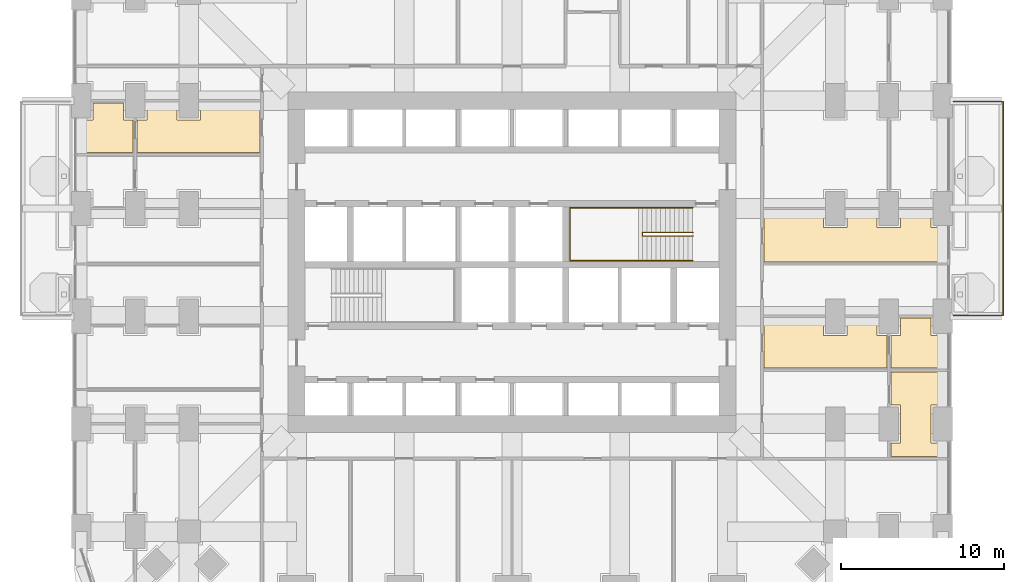
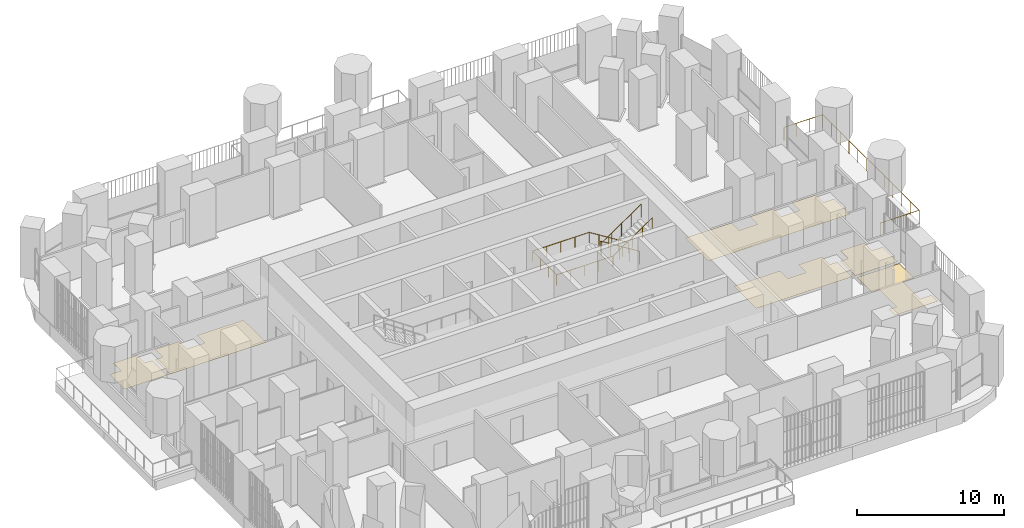
# One storey, part 24 of 26: 6 coverings, 3 railings.
"""IFC4 building model written with IfcOpenShell, lengths in metres."""

from ifc_helpers import new_model, si_unit, direction, frame, origin, place, context, subcontext, project, spatial, polyline, outline, extrude, material, layer, layer_set, type_object, element, save


model = new_model("IFC4")

# Units and contexts
model_context = context("Model", 3, precision=1e-05, world=origin(), true_north=direction((0.0, 1.0)))
body_context = subcontext(model_context, "Body", "Model", "MODEL_VIEW")
ifc_project = project(units=[si_unit("LENGTHUNIT", "METRE"), si_unit("AREAUNIT", "SQUARE_METRE"), si_unit("VOLUMEUNIT", "CUBIC_METRE"), si_unit("PLANEANGLEUNIT", "RADIAN"), si_unit("MASSUNIT", "GRAM", prefix="KILO")], contexts=[model_context])

# Site, building, storey
site_placement = place(None, origin())
site = spatial("IfcSite", under=ifc_project, at=site_placement, CompositionType="ELEMENT")
building_placement = place(site_placement, origin())
building = spatial("IfcBuilding", under=site, at=building_placement, Name="Cobogo Forest Laboratory Tower", CompositionType="ELEMENT")
storey_placement = place(building_placement, frame((0.0, 0.0, 33.89990234375)))
storey = spatial("IfcBuildingStorey", under=building, at=storey_placement, Name="L07", CompositionType="ELEMENT", Elevation=33.89990234375)

# Railing
ifc_material_1 = material(Name="Laminated glass balustrade", Category="glass")
railing_type_1 = type_object("IfcRailingType", Name="BG1 glass balustrade 1100", PredefinedType="GUARDRAIL", material=ifc_material_1)
railing_1_placement = place(storey_placement, frame((53.449951171875, 19.85009765625, 0.0)))
element("IfcRailing", 1, at=railing_1_placement, inside=storey, type_object=railing_type_1, Name="Balcony balustrade BAL-E1 L07", PredefinedType="GUARDRAIL", context=body_context, shape_type="SweptSolid", body=[
    extrude(outline(polyline([(0.022216796875, 0.00927734375), (0.00927734375, 0.022216796875), (-0.00927734375, 0.022216796875), (-0.022216796875, 0.00927734375), (-0.022216796875, -0.00927734375), (-0.00927734375, -0.022216796875), (0.00927734375, -0.022216796875), (0.022216796875, -0.00927734375), (0.022216796875, 0.00927734375)])), frame((0.0, 0.0, 1.077880859375), z_axis=(1.0, 0.0, 0.0), x_axis=(0.0, 1.0, 0.0)), (0.0, 0.0, 1.0), 3.050048828125),
    extrude(outline(polyline([(0.022216796875, 0.00927734375), (0.00927734375, 0.022216796875), (-0.00927734375, 0.022216796875), (-0.022216796875, 0.00927734375), (-0.022216796875, -0.00927734375), (-0.00927734375, -0.022216796875), (0.00927734375, -0.022216796875), (0.022216796875, -0.00927734375), (0.022216796875, 0.00927734375)])), frame((3.050048828125, 0.0, 1.077880859375), z_axis=(0.0, 1.0, 0.0), x_axis=(-1.0, 0.0, 0.0)), (0.0, 0.0, 1.0), 13.099853515625),
    extrude(outline(polyline([(0.022216796875, 0.00927734375), (0.00927734375, 0.022216796875), (-0.00927734375, 0.022216796875), (-0.022216796875, 0.00927734375), (-0.022216796875, -0.00927734375), (-0.00927734375, -0.022216796875), (0.00927734375, -0.022216796875), (0.022216796875, -0.00927734375), (0.022216796875, 0.00927734375)])), frame((3.050048828125, 13.099853515625, 1.077880859375), z_axis=(-1.0, 0.0, 0.0), x_axis=(0.0, -1.0, 0.0)), (0.0, 0.0, 1.0), 3.050048828125),
    extrude(outline(polyline([(0.019287109375, 0.008056640625), (0.008056640625, 0.019287109375), (-0.008056640625, 0.019287109375), (-0.019287109375, 0.008056640625), (-0.019287109375, -0.008056640625), (-0.008056640625, -0.019287109375), (0.008056640625, -0.019287109375), (0.019287109375, -0.008056640625), (0.019287109375, 0.008056640625)])), origin(), (0.0, 0.0, 1.0), 1.077880859375),
    extrude(outline(polyline([(0.019287109375, 0.008056640625), (0.008056640625, 0.019287109375), (-0.008056640625, 0.019287109375), (-0.019287109375, 0.008056640625), (-0.019287109375, -0.008056640625), (-0.008056640625, -0.019287109375), (0.008056640625, -0.019287109375), (0.019287109375, -0.008056640625), (0.019287109375, 0.008056640625)])), frame((1.0166015625, 0.0, 0.0)), (0.0, 0.0, 1.0), 1.077880859375),
    extrude(outline(polyline([(0.019287109375, 0.008056640625), (0.008056640625, 0.019287109375), (-0.008056640625, 0.019287109375), (-0.019287109375, 0.008056640625), (-0.019287109375, -0.008056640625), (-0.008056640625, -0.019287109375), (0.008056640625, -0.019287109375), (0.019287109375, -0.008056640625), (0.019287109375, 0.008056640625)])), frame((2.033447265625, 0.0, 0.0)), (0.0, 0.0, 1.0), 1.077880859375),
    extrude(outline(polyline([(0.019287109375, 0.008056640625), (0.008056640625, 0.019287109375), (-0.008056640625, 0.019287109375), (-0.019287109375, 0.008056640625), (-0.019287109375, -0.008056640625), (-0.008056640625, -0.019287109375), (0.008056640625, -0.019287109375), (0.019287109375, -0.008056640625), (0.019287109375, 0.008056640625)])), frame((3.050048828125, 0.0, 0.0)), (0.0, 0.0, 1.0), 1.077880859375),
    extrude(outline(polyline([(0.019287109375, 0.008056640625), (0.008056640625, 0.019287109375), (-0.008056640625, 0.019287109375), (-0.019287109375, 0.008056640625), (-0.019287109375, -0.008056640625), (-0.008056640625, -0.019287109375), (0.008056640625, -0.019287109375), (0.019287109375, -0.008056640625), (0.019287109375, 0.008056640625)])), frame((3.050048828125, 1.19091796875, 0.0)), (0.0, 0.0, 1.0), 1.077880859375),
    extrude(outline(polyline([(0.019287109375, 0.008056640625), (0.008056640625, 0.019287109375), (-0.008056640625, 0.019287109375), (-0.019287109375, 0.008056640625), (-0.019287109375, -0.008056640625), (-0.008056640625, -0.019287109375), (0.008056640625, -0.019287109375), (0.019287109375, -0.008056640625), (0.019287109375, 0.008056640625)])), frame((3.050048828125, 2.3818359375, 0.0)), (0.0, 0.0, 1.0), 1.077880859375),
    extrude(outline(polyline([(0.019287109375, 0.008056640625), (0.008056640625, 0.019287109375), (-0.008056640625, 0.019287109375), (-0.019287109375, 0.008056640625), (-0.019287109375, -0.008056640625), (-0.008056640625, -0.019287109375), (0.008056640625, -0.019287109375), (0.019287109375, -0.008056640625), (0.019287109375, 0.008056640625)])), frame((3.050048828125, 3.57275390625, 0.0)), (0.0, 0.0, 1.0), 1.077880859375),
    extrude(outline(polyline([(0.019287109375, 0.008056640625), (0.008056640625, 0.019287109375), (-0.008056640625, 0.019287109375), (-0.019287109375, 0.008056640625), (-0.019287109375, -0.008056640625), (-0.008056640625, -0.019287109375), (0.008056640625, -0.019287109375), (0.019287109375, -0.008056640625), (0.019287109375, 0.008056640625)])), frame((3.050048828125, 4.763671875, 0.0)), (0.0, 0.0, 1.0), 1.077880859375),
    extrude(outline(polyline([(0.019287109375, 0.008056640625), (0.008056640625, 0.019287109375), (-0.008056640625, 0.019287109375), (-0.019287109375, 0.008056640625), (-0.019287109375, -0.008056640625), (-0.008056640625, -0.019287109375), (0.008056640625, -0.019287109375), (0.019287109375, -0.008056640625), (0.019287109375, 0.008056640625)])), frame((3.050048828125, 5.95458984375, 0.0)), (0.0, 0.0, 1.0), 1.077880859375),
    extrude(outline(polyline([(0.019287109375, 0.008056640625), (0.008056640625, 0.019287109375), (-0.008056640625, 0.019287109375), (-0.019287109375, 0.008056640625), (-0.019287109375, -0.008056640625), (-0.008056640625, -0.019287109375), (0.008056640625, -0.019287109375), (0.019287109375, -0.008056640625), (0.019287109375, 0.008056640625)])), frame((3.050048828125, 7.145263671875, 0.0)), (0.0, 0.0, 1.0), 1.077880859375),
    extrude(outline(polyline([(0.019287109375, 0.008056640625), (0.008056640625, 0.019287109375), (-0.008056640625, 0.019287109375), (-0.019287109375, 0.008056640625), (-0.019287109375, -0.008056640625), (-0.008056640625, -0.019287109375), (0.008056640625, -0.019287109375), (0.019287109375, -0.008056640625), (0.019287109375, 0.008056640625)])), frame((3.050048828125, 8.336181640625, 0.0)), (0.0, 0.0, 1.0), 1.077880859375),
    extrude(outline(polyline([(0.019287109375, 0.008056640625), (0.008056640625, 0.019287109375), (-0.008056640625, 0.019287109375), (-0.019287109375, 0.008056640625), (-0.019287109375, -0.008056640625), (-0.008056640625, -0.019287109375), (0.008056640625, -0.019287109375), (0.019287109375, -0.008056640625), (0.019287109375, 0.008056640625)])), frame((3.050048828125, 9.527099609375, 0.0)), (0.0, 0.0, 1.0), 1.077880859375),
    extrude(outline(polyline([(0.019287109375, 0.008056640625), (0.008056640625, 0.019287109375), (-0.008056640625, 0.019287109375), (-0.019287109375, 0.008056640625), (-0.019287109375, -0.008056640625), (-0.008056640625, -0.019287109375), (0.008056640625, -0.019287109375), (0.019287109375, -0.008056640625), (0.019287109375, 0.008056640625)])), frame((3.050048828125, 10.718017578125, 0.0)), (0.0, 0.0, 1.0), 1.077880859375),
    extrude(outline(polyline([(0.019287109375, 0.008056640625), (0.008056640625, 0.019287109375), (-0.008056640625, 0.019287109375), (-0.019287109375, 0.008056640625), (-0.019287109375, -0.008056640625), (-0.008056640625, -0.019287109375), (0.008056640625, -0.019287109375), (0.019287109375, -0.008056640625), (0.019287109375, 0.008056640625)])), frame((3.050048828125, 11.908935546875, 0.0)), (0.0, 0.0, 1.0), 1.077880859375),
    extrude(outline(polyline([(0.019287109375, 0.008056640625), (0.008056640625, 0.019287109375), (-0.008056640625, 0.019287109375), (-0.019287109375, 0.008056640625), (-0.019287109375, -0.008056640625), (-0.008056640625, -0.019287109375), (0.008056640625, -0.019287109375), (0.019287109375, -0.008056640625), (0.019287109375, 0.008056640625)])), frame((3.050048828125, 13.099853515625, 0.0)), (0.0, 0.0, 1.0), 1.077880859375),
    extrude(outline(polyline([(0.019287109375, 0.008056640625), (0.008056640625, 0.019287109375), (-0.008056640625, 0.019287109375), (-0.019287109375, 0.008056640625), (-0.019287109375, -0.008056640625), (-0.008056640625, -0.019287109375), (0.008056640625, -0.019287109375), (0.019287109375, -0.008056640625), (0.019287109375, 0.008056640625)])), frame((2.033447265625, 13.099853515625, 0.0)), (0.0, 0.0, 1.0), 1.077880859375),
    extrude(outline(polyline([(0.019287109375, 0.008056640625), (0.008056640625, 0.019287109375), (-0.008056640625, 0.019287109375), (-0.019287109375, 0.008056640625), (-0.019287109375, -0.008056640625), (-0.008056640625, -0.019287109375), (0.008056640625, -0.019287109375), (0.019287109375, -0.008056640625), (0.019287109375, 0.008056640625)])), frame((1.0166015625, 13.099853515625, 0.0)), (0.0, 0.0, 1.0), 1.077880859375),
    extrude(outline(polyline([(0.019287109375, 0.008056640625), (0.008056640625, 0.019287109375), (-0.008056640625, 0.019287109375), (-0.019287109375, 0.008056640625), (-0.019287109375, -0.008056640625), (-0.008056640625, -0.019287109375), (0.008056640625, -0.019287109375), (0.019287109375, -0.008056640625), (0.019287109375, 0.008056640625)])), frame((0.0, 13.099853515625, 0.0)), (0.0, 0.0, 1.0), 1.077880859375),
])

# Coverings
ifc_material_2 = material(Name="Carpet tile on raised access floor", Category="flooring")
ifc_layer_1 = layer(ifc_material_2, 0.008056640625)
ifc_layer_set_1 = layer_set([ifc_layer_1], Name="CT1 carpet tile floor 8")
covering_type_1 = type_object("IfcCoveringType", Name="CT1 carpet tile floor 8", PredefinedType="FLOORING", material=ifc_layer_set_1)
covering_1_placement = place(storey_placement, origin())
element("IfcCovering", 2, at=covering_1_placement, inside=storey, type_object=covering_type_1, Name="Carpet floor L07-12", PredefinedType="FLOORING", context=body_context, shape_type="SweptSolid", body=[
    extrude(outline(polyline([(49.6201171875, 12.030029296875), (50.219970703125, 12.030029296875), (50.219970703125, 14.3701171875), (49.6201171875, 14.3701171875), (49.6201171875, 16.3798828125), (52.949951171875, 16.3798828125), (52.949951171875, 14.3701171875), (52.080078125, 14.3701171875), (52.080078125, 12.030029296875), (52.949951171875, 12.030029296875), (52.949951171875, 11.195068359375), (49.6201171875, 11.195068359375), (49.6201171875, 12.030029296875)])), origin(), (0.0, 0.0, 1.0), 0.008056640625),
])
covering_2_placement = place(storey_placement, origin())
element("IfcCovering", 3, at=covering_2_placement, inside=storey, type_object=covering_type_1, Name="Carpet floor L07-14", PredefinedType="FLOORING", context=body_context, shape_type="SweptSolid", body=[
    extrude(outline(polyline([(49.6201171875, 18.6298828125), (50.219970703125, 18.6298828125), (50.219970703125, 19.679931640625), (52.080078125, 19.679931640625), (52.080078125, 18.6298828125), (52.949951171875, 18.6298828125), (52.949951171875, 16.6201171875), (49.6201171875, 16.6201171875), (49.6201171875, 18.6298828125)])), origin(), (0.0, 0.0, 1.0), 0.008056640625),
])
covering_3_placement = place(storey_placement, origin())
element("IfcCovering", 4, at=covering_3_placement, inside=storey, type_object=covering_type_1, Name="Carpet floor L07-37", PredefinedType="FLOORING", context=body_context, shape_type="SweptSolid", body=[
    extrude(outline(polyline([(3.179931640625, 29.820068359375), (-0.14990234375, 29.820068359375), (-0.14990234375, 31.830078125), (0.719970703125, 31.830078125), (0.719970703125, 32.8798828125), (2.580078125, 32.8798828125), (2.580078125, 31.830078125), (3.179931640625, 31.830078125), (3.179931640625, 29.820068359375)])), origin(), (0.0, 0.0, 1.0), 0.008056640625),
])

# Railings
ifc_material_3 = material(Name="Steel balustrade", Category="steel")
railing_type_2 = type_object("IfcRailingType", Name="GR stair guard 1100", PredefinedType="GUARDRAIL", material=ifc_material_3)
railing_2_placement = place(storey_placement, frame((37.47509765625, 24.929931640625, 0.175048828125)))
element("IfcRailing", 5, at=railing_2_placement, inside=storey, type_object=railing_type_2, Name="Stair guard ST2 L07", PredefinedType="GUARDRAIL", context=body_context, shape_type="SweptSolid", body=[
    extrude(outline(polyline([(0.022216796875, 0.00927734375), (0.00927734375, 0.022216796875), (-0.00927734375, 0.022216796875), (-0.022216796875, 0.00927734375), (-0.022216796875, -0.00927734375), (-0.00927734375, -0.022216796875), (0.00927734375, -0.022216796875), (0.022216796875, -0.00927734375), (0.022216796875, 0.00927734375)])), frame((0.0, 0.0, 1.077880859375), z_axis=(-0.847998304005, 0.0, 0.529998940003), x_axis=(0.0, -1.0, 0.0)), (0.0, 0.0, 1.0), 3.632080078125),
    extrude(outline(polyline([(0.022216796875, 0.00927734375), (0.00927734375, 0.022216796875), (-0.00927734375, 0.022216796875), (-0.022216796875, 0.00927734375), (-0.022216796875, -0.00927734375), (-0.00927734375, -0.022216796875), (0.00927734375, -0.022216796875), (0.022216796875, -0.00927734375), (0.022216796875, 0.00927734375)])), frame((-3.080078125, 0.0, 3.0029296875), z_axis=(0.0, -1.0, 0.0), x_axis=(1.0, 0.0, 0.0)), (0.0, 0.0, 1.0), 0.2099609375),
    extrude(outline(polyline([(0.022216796875, 0.00927734375), (0.00927734375, 0.022216796875), (-0.00927734375, 0.022216796875), (-0.022216796875, 0.00927734375), (-0.022216796875, -0.00927734375), (-0.00927734375, -0.022216796875), (0.00927734375, -0.022216796875), (0.022216796875, -0.00927734375), (0.022216796875, 0.00927734375)])), frame((-3.080078125, -0.2099609375, 3.0029296875), z_axis=(0.826221800596, 0.0, 0.563344953133), x_axis=(0.0, 1.0, 0.0)), (0.0, 0.0, 1.0), 3.72802734375),
    extrude(outline(polyline([(0.019287109375, 0.008056640625), (0.008056640625, 0.019287109375), (-0.008056640625, 0.019287109375), (-0.019287109375, 0.008056640625), (-0.019287109375, -0.008056640625), (-0.008056640625, -0.019287109375), (0.008056640625, -0.019287109375), (0.019287109375, -0.008056640625), (0.019287109375, 0.008056640625)])), origin(), (0.0, 0.0, 1.0), 1.077880859375),
    extrude(outline(polyline([(0.019287109375, 0.008056640625), (0.008056640625, 0.019287109375), (-0.008056640625, 0.019287109375), (-0.019287109375, 0.008056640625), (-0.019287109375, -0.008056640625), (-0.008056640625, -0.019287109375), (0.008056640625, -0.019287109375), (0.019287109375, -0.008056640625), (0.019287109375, 0.008056640625)])), frame((-0.77001953125, 0.0, 0.481201171875)), (0.0, 0.0, 1.0), 1.077880859375),
    extrude(outline(polyline([(0.019287109375, 0.008056640625), (0.008056640625, 0.019287109375), (-0.008056640625, 0.019287109375), (-0.019287109375, 0.008056640625), (-0.019287109375, -0.008056640625), (-0.008056640625, -0.019287109375), (0.008056640625, -0.019287109375), (0.019287109375, -0.008056640625), (0.019287109375, 0.008056640625)])), frame((-1.5400390625, 0.0, 0.96240234375)), (0.0, 0.0, 1.0), 1.077880859375),
    extrude(outline(polyline([(0.019287109375, 0.008056640625), (0.008056640625, 0.019287109375), (-0.008056640625, 0.019287109375), (-0.019287109375, 0.008056640625), (-0.019287109375, -0.008056640625), (-0.008056640625, -0.019287109375), (0.008056640625, -0.019287109375), (0.019287109375, -0.008056640625), (0.019287109375, 0.008056640625)])), frame((-2.31005859375, 0.0, 1.44384765625)), (0.0, 0.0, 1.0), 1.077880859375),
    extrude(outline(polyline([(0.019287109375, 0.008056640625), (0.008056640625, 0.019287109375), (-0.008056640625, 0.019287109375), (-0.019287109375, 0.008056640625), (-0.019287109375, -0.008056640625), (-0.008056640625, -0.019287109375), (0.008056640625, -0.019287109375), (0.019287109375, -0.008056640625), (0.019287109375, 0.008056640625)])), frame((-3.080078125, 0.0, 1.925048828125)), (0.0, 0.0, 1.0), 1.077880859375),
    extrude(outline(polyline([(0.019287109375, 0.008056640625), (0.008056640625, 0.019287109375), (-0.008056640625, 0.019287109375), (-0.019287109375, 0.008056640625), (-0.019287109375, -0.008056640625), (-0.008056640625, -0.019287109375), (0.008056640625, -0.019287109375), (0.019287109375, -0.008056640625), (0.019287109375, 0.008056640625)])), frame((-3.080078125, -0.2099609375, 1.925048828125)), (0.0, 0.0, 1.0), 1.077880859375),
    extrude(outline(polyline([(0.019287109375, 0.008056640625), (0.008056640625, 0.019287109375), (-0.008056640625, 0.019287109375), (-0.019287109375, 0.008056640625), (-0.019287109375, -0.008056640625), (-0.008056640625, -0.019287109375), (0.008056640625, -0.019287109375), (0.019287109375, -0.008056640625), (0.019287109375, 0.008056640625)])), frame((-2.31005859375, -0.2099609375, 2.4501953125)), (0.0, 0.0, 1.0), 1.077880859375),
    extrude(outline(polyline([(0.019287109375, 0.008056640625), (0.008056640625, 0.019287109375), (-0.008056640625, 0.019287109375), (-0.019287109375, 0.008056640625), (-0.019287109375, -0.008056640625), (-0.008056640625, -0.019287109375), (0.008056640625, -0.019287109375), (0.019287109375, -0.008056640625), (0.019287109375, 0.008056640625)])), frame((-1.5400390625, -0.2099609375, 2.97509765625)), (0.0, 0.0, 1.0), 1.077880859375),
    extrude(outline(polyline([(0.019287109375, 0.008056640625), (0.008056640625, 0.019287109375), (-0.008056640625, 0.019287109375), (-0.019287109375, 0.008056640625), (-0.019287109375, -0.008056640625), (-0.008056640625, -0.019287109375), (0.008056640625, -0.019287109375), (0.019287109375, -0.008056640625), (0.019287109375, 0.008056640625)])), frame((-0.77001953125, -0.2099609375, 3.5)), (0.0, 0.0, 1.0), 1.077880859375),
    extrude(outline(polyline([(0.019287109375, 0.008056640625), (0.008056640625, 0.019287109375), (-0.008056640625, 0.019287109375), (-0.019287109375, 0.008056640625), (-0.019287109375, -0.008056640625), (-0.008056640625, -0.019287109375), (0.008056640625, -0.019287109375), (0.019287109375, -0.008056640625), (0.019287109375, 0.008056640625)])), frame((0.0, -0.2099609375, 4.025146484375)), (0.0, 0.0, 1.0), 1.077880859375),
])
ifc_material_4 = material(Name="Stainless steel handrail", Category="steel")
railing_type_3 = type_object("IfcRailingType", Name="HR handrail 900", PredefinedType="HANDRAIL", material=ifc_material_4)
railing_3_placement = place(storey_placement, frame((37.47509765625, 26.449951171875, 0.175048828125)))
element("IfcRailing", 6, at=railing_3_placement, inside=storey, type_object=railing_type_3, Name="Stair handrail ST2 L07", PredefinedType="HANDRAIL", context=body_context, shape_type="SweptSolid", body=[
    extrude(outline(polyline([(0.022216796875, 0.00927734375), (0.00927734375, 0.022216796875), (-0.00927734375, 0.022216796875), (-0.022216796875, 0.00927734375), (-0.022216796875, -0.00927734375), (-0.00927734375, -0.022216796875), (0.00927734375, -0.022216796875), (0.022216796875, -0.00927734375), (0.022216796875, 0.00927734375)])), frame((0.0, 0.0, 0.877685546875), z_axis=(-0.847998304005, 0.0, 0.529998940003), x_axis=(0.0, -1.0, 0.0)), (0.0, 0.0, 1.0), 3.632080078125),
    extrude(outline(polyline([(0.022216796875, 0.00927734375), (0.00927734375, 0.022216796875), (-0.00927734375, 0.022216796875), (-0.022216796875, 0.00927734375), (-0.022216796875, -0.00927734375), (-0.00927734375, -0.022216796875), (0.00927734375, -0.022216796875), (0.022216796875, -0.00927734375), (0.022216796875, 0.00927734375)])), frame((-3.080078125, 0.0, 2.802734375), z_axis=(-1.0, 0.0, 0.0), x_axis=(0.0, -1.0, 0.0)), (0.0, 0.0, 1.0), 4.445068359375),
    extrude(outline(polyline([(0.022216796875, 0.00927734375), (0.00927734375, 0.022216796875), (-0.00927734375, 0.022216796875), (-0.022216796875, 0.00927734375), (-0.022216796875, -0.00927734375), (-0.00927734375, -0.022216796875), (0.00927734375, -0.022216796875), (0.022216796875, -0.00927734375), (0.022216796875, 0.00927734375)])), frame((-7.525146484375, 0.0, 2.802734375), z_axis=(0.0, -1.0, 0.0), x_axis=(1.0, 0.0, 0.0)), (0.0, 0.0, 1.0), 3.25),
    extrude(outline(polyline([(0.022216796875, 0.00927734375), (0.00927734375, 0.022216796875), (-0.00927734375, 0.022216796875), (-0.022216796875, 0.00927734375), (-0.022216796875, -0.00927734375), (-0.00927734375, -0.022216796875), (0.00927734375, -0.022216796875), (0.022216796875, -0.00927734375), (0.022216796875, 0.00927734375)])), frame((-7.525146484375, -3.25, 2.802734375), z_axis=(1.0, 0.0, 0.0), x_axis=(0.0, 1.0, 0.0)), (0.0, 0.0, 1.0), 4.445068359375),
    extrude(outline(polyline([(0.022216796875, 0.00927734375), (0.00927734375, 0.022216796875), (-0.00927734375, 0.022216796875), (-0.022216796875, 0.00927734375), (-0.022216796875, -0.00927734375), (-0.00927734375, -0.022216796875), (0.00927734375, -0.022216796875), (0.022216796875, -0.00927734375), (0.022216796875, 0.00927734375)])), frame((-3.080078125, -3.25, 2.802734375), z_axis=(0.826221800596, 0.0, 0.563344953133), x_axis=(0.0, 1.0, 0.0)), (0.0, 0.0, 1.0), 3.72802734375),
    extrude(outline(polyline([(0.019287109375, 0.008056640625), (0.008056640625, 0.019287109375), (-0.008056640625, 0.019287109375), (-0.019287109375, 0.008056640625), (-0.019287109375, -0.008056640625), (-0.008056640625, -0.019287109375), (0.008056640625, -0.019287109375), (0.019287109375, -0.008056640625), (0.019287109375, 0.008056640625)])), origin(), (0.0, 0.0, 1.0), 0.877685546875),
    extrude(outline(polyline([(0.019287109375, 0.008056640625), (0.008056640625, 0.019287109375), (-0.008056640625, 0.019287109375), (-0.019287109375, 0.008056640625), (-0.019287109375, -0.008056640625), (-0.008056640625, -0.019287109375), (0.008056640625, -0.019287109375), (0.019287109375, -0.008056640625), (0.019287109375, 0.008056640625)])), frame((-0.77001953125, 0.0, 0.481201171875)), (0.0, 0.0, 1.0), 0.877685546875),
    extrude(outline(polyline([(0.019287109375, 0.008056640625), (0.008056640625, 0.019287109375), (-0.008056640625, 0.019287109375), (-0.019287109375, 0.008056640625), (-0.019287109375, -0.008056640625), (-0.008056640625, -0.019287109375), (0.008056640625, -0.019287109375), (0.019287109375, -0.008056640625), (0.019287109375, 0.008056640625)])), frame((-1.5400390625, 0.0, 0.96240234375)), (0.0, 0.0, 1.0), 0.877685546875),
    extrude(outline(polyline([(0.019287109375, 0.008056640625), (0.008056640625, 0.019287109375), (-0.008056640625, 0.019287109375), (-0.019287109375, 0.008056640625), (-0.019287109375, -0.008056640625), (-0.008056640625, -0.019287109375), (0.008056640625, -0.019287109375), (0.019287109375, -0.008056640625), (0.019287109375, 0.008056640625)])), frame((-2.31005859375, 0.0, 1.44384765625)), (0.0, 0.0, 1.0), 0.877685546875),
    extrude(outline(polyline([(0.019287109375, 0.008056640625), (0.008056640625, 0.019287109375), (-0.008056640625, 0.019287109375), (-0.019287109375, 0.008056640625), (-0.019287109375, -0.008056640625), (-0.008056640625, -0.019287109375), (0.008056640625, -0.019287109375), (0.019287109375, -0.008056640625), (0.019287109375, 0.008056640625)])), frame((-3.080078125, 0.0, 1.925048828125)), (0.0, 0.0, 1.0), 0.877685546875),
    extrude(outline(polyline([(0.019287109375, 0.008056640625), (0.008056640625, 0.019287109375), (-0.008056640625, 0.019287109375), (-0.019287109375, 0.008056640625), (-0.019287109375, -0.008056640625), (-0.008056640625, -0.019287109375), (0.008056640625, -0.019287109375), (0.019287109375, -0.008056640625), (0.019287109375, 0.008056640625)])), frame((-4.19140625, 0.0, 1.925048828125)), (0.0, 0.0, 1.0), 0.877685546875),
    extrude(outline(polyline([(0.019287109375, 0.008056640625), (0.008056640625, 0.019287109375), (-0.008056640625, 0.019287109375), (-0.019287109375, 0.008056640625), (-0.019287109375, -0.008056640625), (-0.008056640625, -0.019287109375), (0.008056640625, -0.019287109375), (0.019287109375, -0.008056640625), (0.019287109375, 0.008056640625)])), frame((-5.302734375, 0.0, 1.925048828125)), (0.0, 0.0, 1.0), 0.877685546875),
    extrude(outline(polyline([(0.019287109375, 0.008056640625), (0.008056640625, 0.019287109375), (-0.008056640625, 0.019287109375), (-0.019287109375, 0.008056640625), (-0.019287109375, -0.008056640625), (-0.008056640625, -0.019287109375), (0.008056640625, -0.019287109375), (0.019287109375, -0.008056640625), (0.019287109375, 0.008056640625)])), frame((-6.413818359375, 0.0, 1.925048828125)), (0.0, 0.0, 1.0), 0.877685546875),
    extrude(outline(polyline([(0.019287109375, 0.008056640625), (0.008056640625, 0.019287109375), (-0.008056640625, 0.019287109375), (-0.019287109375, 0.008056640625), (-0.019287109375, -0.008056640625), (-0.008056640625, -0.019287109375), (0.008056640625, -0.019287109375), (0.019287109375, -0.008056640625), (0.019287109375, 0.008056640625)])), frame((-7.525146484375, 0.0, 1.925048828125)), (0.0, 0.0, 1.0), 0.877685546875),
    extrude(outline(polyline([(0.019287109375, 0.008056640625), (0.008056640625, 0.019287109375), (-0.008056640625, 0.019287109375), (-0.019287109375, 0.008056640625), (-0.019287109375, -0.008056640625), (-0.008056640625, -0.019287109375), (0.008056640625, -0.019287109375), (0.019287109375, -0.008056640625), (0.019287109375, 0.008056640625)])), frame((-7.525146484375, -1.083251953125, 1.925048828125)), (0.0, 0.0, 1.0), 0.877685546875),
    extrude(outline(polyline([(0.019287109375, 0.008056640625), (0.008056640625, 0.019287109375), (-0.008056640625, 0.019287109375), (-0.019287109375, 0.008056640625), (-0.019287109375, -0.008056640625), (-0.008056640625, -0.019287109375), (0.008056640625, -0.019287109375), (0.019287109375, -0.008056640625), (0.019287109375, 0.008056640625)])), frame((-7.525146484375, -2.166748046875, 1.925048828125)), (0.0, 0.0, 1.0), 0.877685546875),
    extrude(outline(polyline([(0.019287109375, 0.008056640625), (0.008056640625, 0.019287109375), (-0.008056640625, 0.019287109375), (-0.019287109375, 0.008056640625), (-0.019287109375, -0.008056640625), (-0.008056640625, -0.019287109375), (0.008056640625, -0.019287109375), (0.019287109375, -0.008056640625), (0.019287109375, 0.008056640625)])), frame((-7.525146484375, -3.25, 1.925048828125)), (0.0, 0.0, 1.0), 0.877685546875),
    extrude(outline(polyline([(0.019287109375, 0.008056640625), (0.008056640625, 0.019287109375), (-0.008056640625, 0.019287109375), (-0.019287109375, 0.008056640625), (-0.019287109375, -0.008056640625), (-0.008056640625, -0.019287109375), (0.008056640625, -0.019287109375), (0.019287109375, -0.008056640625), (0.019287109375, 0.008056640625)])), frame((-6.413818359375, -3.25, 1.925048828125)), (0.0, 0.0, 1.0), 0.877685546875),
    extrude(outline(polyline([(0.019287109375, 0.008056640625), (0.008056640625, 0.019287109375), (-0.008056640625, 0.019287109375), (-0.019287109375, 0.008056640625), (-0.019287109375, -0.008056640625), (-0.008056640625, -0.019287109375), (0.008056640625, -0.019287109375), (0.019287109375, -0.008056640625), (0.019287109375, 0.008056640625)])), frame((-5.302734375, -3.25, 1.925048828125)), (0.0, 0.0, 1.0), 0.877685546875),
    extrude(outline(polyline([(0.019287109375, 0.008056640625), (0.008056640625, 0.019287109375), (-0.008056640625, 0.019287109375), (-0.019287109375, 0.008056640625), (-0.019287109375, -0.008056640625), (-0.008056640625, -0.019287109375), (0.008056640625, -0.019287109375), (0.019287109375, -0.008056640625), (0.019287109375, 0.008056640625)])), frame((-4.19140625, -3.25, 1.925048828125)), (0.0, 0.0, 1.0), 0.877685546875),
    extrude(outline(polyline([(0.019287109375, 0.008056640625), (0.008056640625, 0.019287109375), (-0.008056640625, 0.019287109375), (-0.019287109375, 0.008056640625), (-0.019287109375, -0.008056640625), (-0.008056640625, -0.019287109375), (0.008056640625, -0.019287109375), (0.019287109375, -0.008056640625), (0.019287109375, 0.008056640625)])), frame((-3.080078125, -3.25, 1.925048828125)), (0.0, 0.0, 1.0), 0.877685546875),
    extrude(outline(polyline([(0.019287109375, 0.008056640625), (0.008056640625, 0.019287109375), (-0.008056640625, 0.019287109375), (-0.019287109375, 0.008056640625), (-0.019287109375, -0.008056640625), (-0.008056640625, -0.019287109375), (0.008056640625, -0.019287109375), (0.019287109375, -0.008056640625), (0.019287109375, 0.008056640625)])), frame((-2.31005859375, -3.25, 2.4501953125)), (0.0, 0.0, 1.0), 0.877685546875),
    extrude(outline(polyline([(0.019287109375, 0.008056640625), (0.008056640625, 0.019287109375), (-0.008056640625, 0.019287109375), (-0.019287109375, 0.008056640625), (-0.019287109375, -0.008056640625), (-0.008056640625, -0.019287109375), (0.008056640625, -0.019287109375), (0.019287109375, -0.008056640625), (0.019287109375, 0.008056640625)])), frame((-1.5400390625, -3.25, 2.97509765625)), (0.0, 0.0, 1.0), 0.877685546875),
    extrude(outline(polyline([(0.019287109375, 0.008056640625), (0.008056640625, 0.019287109375), (-0.008056640625, 0.019287109375), (-0.019287109375, 0.008056640625), (-0.019287109375, -0.008056640625), (-0.008056640625, -0.019287109375), (0.008056640625, -0.019287109375), (0.019287109375, -0.008056640625), (0.019287109375, 0.008056640625)])), frame((-0.77001953125, -3.25, 3.5)), (0.0, 0.0, 1.0), 0.877685546875),
    extrude(outline(polyline([(0.019287109375, 0.008056640625), (0.008056640625, 0.019287109375), (-0.008056640625, 0.019287109375), (-0.019287109375, 0.008056640625), (-0.019287109375, -0.008056640625), (-0.008056640625, -0.019287109375), (0.008056640625, -0.019287109375), (0.019287109375, -0.008056640625), (0.019287109375, 0.008056640625)])), frame((0.0, -3.25, 4.025146484375)), (0.0, 0.0, 1.0), 0.877685546875),
])

# Coverings
ifc_material_5 = material(Name="Epoxy resin flooring", Category="flooring")
ifc_layer_2 = layer(ifc_material_5, 0.00390625)
ifc_layer_set_2 = layer_set([ifc_layer_2], Name="LF1 epoxy laboratory floor 4")
covering_type_2 = type_object("IfcCoveringType", Name="LF1 epoxy laboratory floor 4", PredefinedType="FLOORING", material=ifc_layer_set_2)
covering_4_placement = place(storey_placement, origin())
element("IfcCovering", 7, at=covering_4_placement, inside=storey, type_object=covering_type_2, Name="Epoxy laboratory floor L07-36", PredefinedType="FLOORING", context=body_context, shape_type="SweptSolid", body=[
    extrude(outline(polyline([(3.419921875, 31.830078125), (4.02001953125, 31.830078125), (4.02001953125, 32.8798828125), (5.8798828125, 32.8798828125), (5.8798828125, 31.830078125), (7.320068359375, 31.830078125), (7.320068359375, 32.8798828125), (10.955078125, 32.8798828125), (10.955078125, 29.820068359375), (3.419921875, 29.820068359375), (3.419921875, 31.830078125)])), origin(), (0.0, 0.0, 1.0), 0.004150390625),
])
ifc_material_6 = material(Name="Static-dissipative vinyl flooring", Category="flooring")
ifc_layer_3 = layer(ifc_material_6, 0.0029296875)
ifc_layer_set_3 = layer_set([ifc_layer_3], Name="SD1 static-dissipative vinyl floor 3")
covering_type_3 = type_object("IfcCoveringType", Name="SD1 static-dissipative vinyl floor 3", PredefinedType="FLOORING", material=ifc_layer_set_3)
covering_5_placement = place(storey_placement, origin())
element("IfcCovering", 8, at=covering_5_placement, inside=storey, type_object=covering_type_3, Name="Static-dissipative floor L07-16", PredefinedType="FLOORING", context=body_context, shape_type="SweptSolid", body=[
    extrude(outline(polyline([(41.844970703125, 26.280029296875), (45.47998046875, 26.280029296875), (45.47998046875, 25.22998046875), (46.919921875, 25.22998046875), (46.919921875, 26.280029296875), (48.780029296875, 26.280029296875), (48.780029296875, 25.22998046875), (50.219970703125, 25.22998046875), (50.219970703125, 26.280029296875), (52.080078125, 26.280029296875), (52.080078125, 25.22998046875), (52.949951171875, 25.22998046875), (52.949951171875, 23.1201171875), (41.844970703125, 23.1201171875), (41.844970703125, 26.280029296875)])), origin(), (0.0, 0.0, 1.0), 0.003173828125),
])
ifc_material_7 = material(Name="Ceramic floor tile", Category="flooring")
ifc_layer_4 = layer(ifc_material_7, 0.010009765625)
ifc_layer_set_4 = layer_set([ifc_layer_4], Name="TF1 ceramic tile floor 10")
covering_type_4 = type_object("IfcCoveringType", Name="TF1 ceramic tile floor 10", PredefinedType="FLOORING", material=ifc_layer_set_4)
covering_6_placement = place(storey_placement, origin())
element("IfcCovering", 9, at=covering_6_placement, inside=storey, type_object=covering_type_4, Name="Tile floor L07-13", PredefinedType="FLOORING", context=body_context, shape_type="SweptSolid", body=[
    extrude(outline(polyline([(41.844970703125, 19.679931640625), (45.47998046875, 19.679931640625), (45.47998046875, 18.6298828125), (46.919921875, 18.6298828125), (46.919921875, 19.679931640625), (48.780029296875, 19.679931640625), (48.780029296875, 18.6298828125), (49.3798828125, 18.6298828125), (49.3798828125, 16.6201171875), (41.844970703125, 16.6201171875), (41.844970703125, 19.679931640625)])), origin(), (0.0, 0.0, 1.0), 0.010009765625),
])

save(model, "model.ifc")
